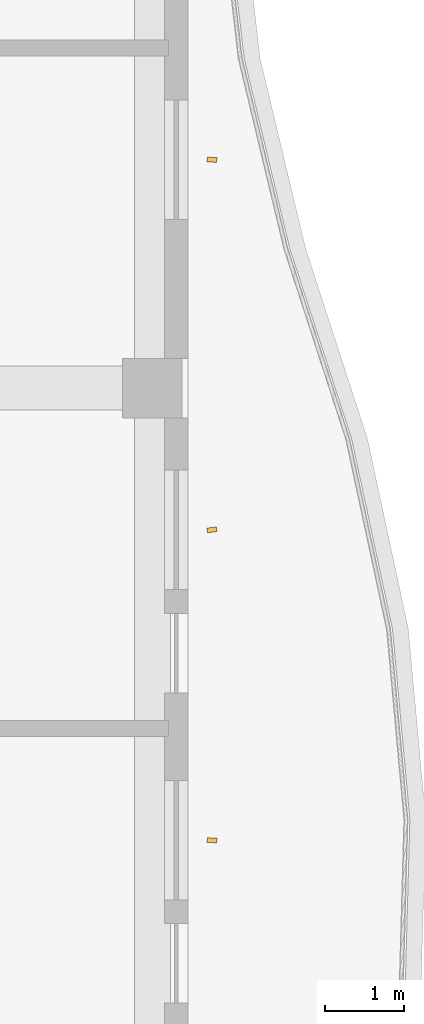
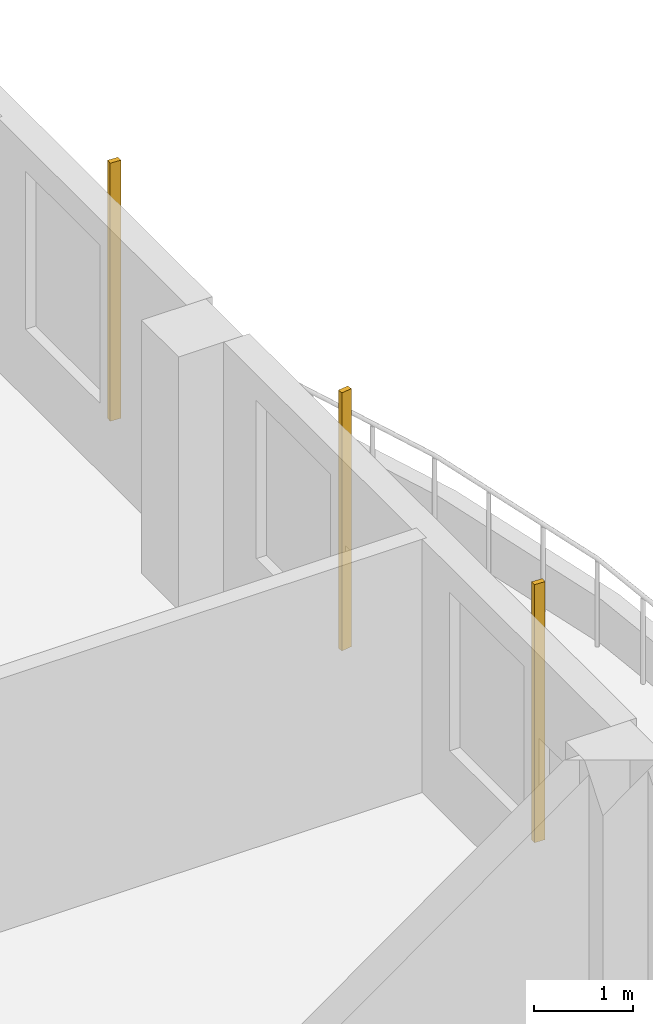
# One storey, part 19 of 21: 3 shading devices.
"""IFC4 building model written with IfcOpenShell, lengths in metres."""

from ifc_helpers import new_model, si_unit, direction, frame, origin, origin_2d, place, context, subcontext, project, spatial, rectangle, extrude, source, transform, mapped, material, material_profile, profile_set, type_object, element, save


model = new_model("IFC4")

# Units and contexts
model_context = context("Model", 3, precision=1e-05, world=origin(), true_north=direction((0.0, 1.0)))
body_context = subcontext(model_context, "Body", "Model", "MODEL_VIEW")
ifc_project = project(units=[si_unit("LENGTHUNIT", "METRE"), si_unit("AREAUNIT", "SQUARE_METRE"), si_unit("VOLUMEUNIT", "CUBIC_METRE"), si_unit("PLANEANGLEUNIT", "RADIAN"), si_unit("MASSUNIT", "GRAM", prefix="KILO")], contexts=[model_context])

# Site, building, storey
site_placement = place(None, origin())
site = spatial("IfcSite", under=ifc_project, at=site_placement, CompositionType="ELEMENT")
building_placement = place(site_placement, origin())
building = spatial("IfcBuilding", under=site, at=building_placement, Name="Kilnfold Tower and Market Hall", CompositionType="ELEMENT")
storey_placement = place(building_placement, frame((0.0, 0.0, 210.10009765625)))
storey = spatial("IfcBuildingStorey", under=building, at=storey_placement, Name="L51", CompositionType="ELEMENT", Elevation=210.10009765625)

# Shading devices
ifc_material = material(Name="Terracotta", Category="masonry")
ifc_material_profile = material_profile(ifc_material, rectangle(XDim=0.06005859375, YDim=0.1201171875, at=origin_2d()), Name="BAG 60x120")
ifc_profile_set = profile_set([ifc_material_profile], Name="Terracotta")
shading_device_type = type_object("IfcShadingDeviceType", Name="BAGUETTE", PredefinedType="USERDEFINED", material=ifc_profile_set)
shared_shape = source(origin(), body_context, "Body", "SweptSolid", [
    extrude(rectangle(XDim=0.06005859375, YDim=0.1201171875, at=origin_2d()), origin(), (0.0, 0.0, 1.0), 3.179931640625),
])
for number, where, z_axis, x_axis, name in (
    (1, (31.550048828125, -6.25, 0.0), (0.0, 0.0, 1.0), (0.042194766677, 0.999109404252, 0.0), "Terracotta baguette L51 E"),
    (2, (31.550048828125, -2.34375, 0.0), (0.0, 0.0, 1.0), (-0.138097989302, 0.990418570783, 0.0), "Terracotta baguette L51 E"),
    (3, (31.550048828125, 2.3125, 0.0), (0.0, 0.0, 1.0), (0.053594315116, 0.99856279191, 0.0), "Terracotta baguette L51 E"),
):
    element("IfcShadingDevice", number, at=place(storey_placement, frame(where, z_axis=z_axis, x_axis=x_axis)), inside=storey, type_object=shading_device_type, Name=name, ObjectType="BAGUETTE", PredefinedType="USERDEFINED", context=body_context, shape_type="MappedRepresentation", body=[
        mapped(shared_shape, transform((0.0, 0.0, 0.0))),
    ])

save(model, "model.ifc")
